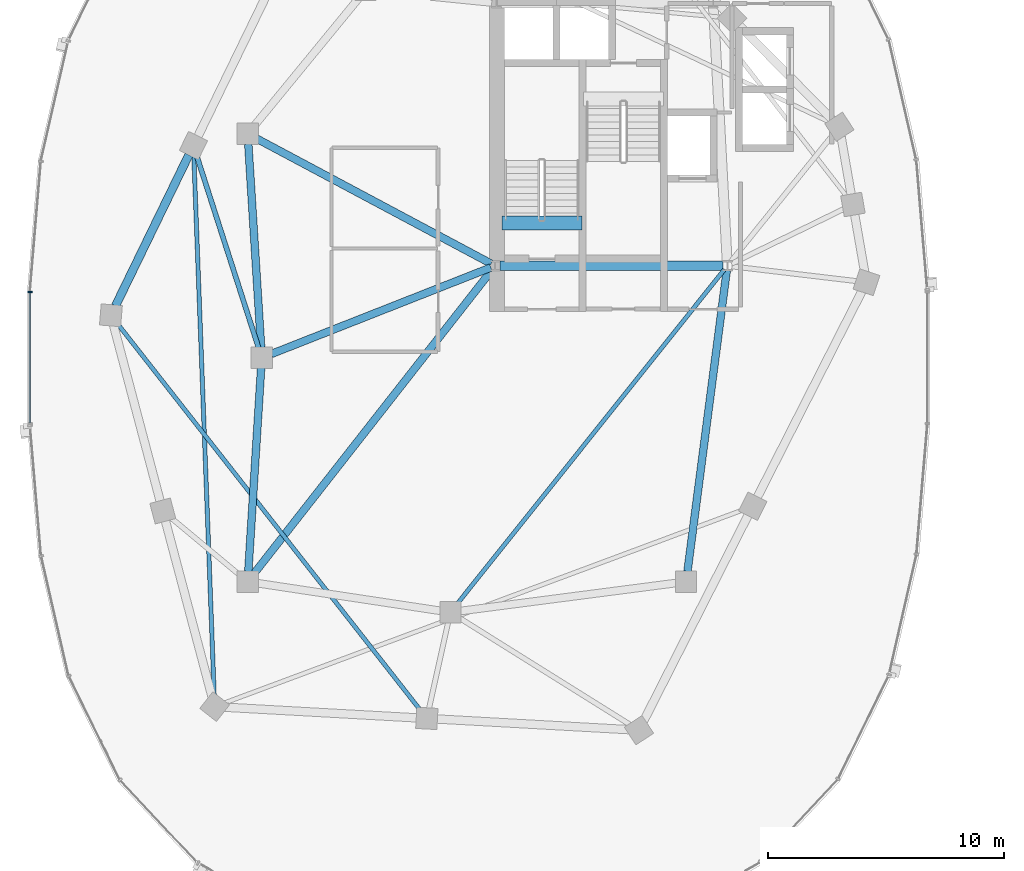
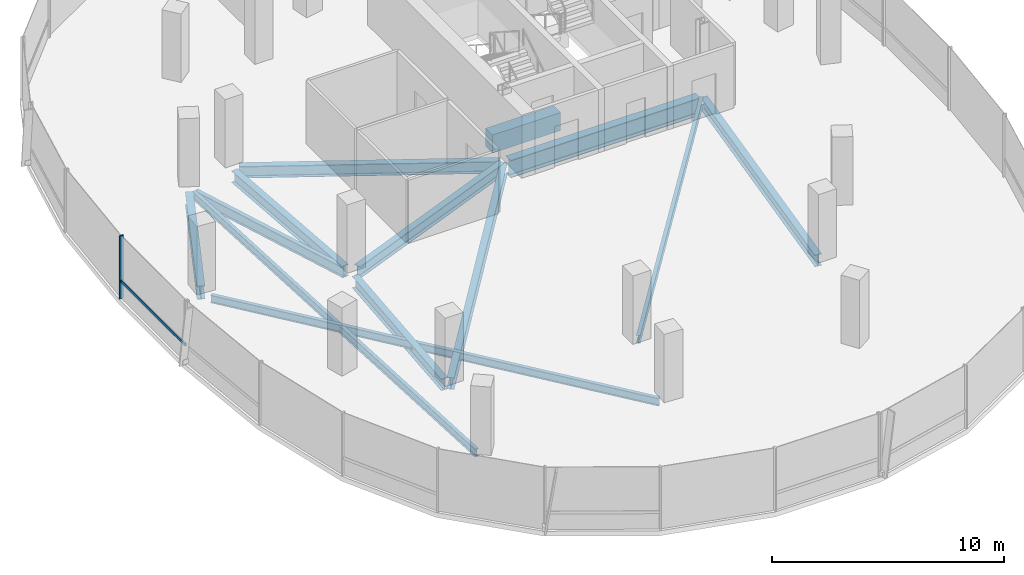
# One storey, part 4 of 24: 13 beams, 2 members, 1 element without a shape of its own.
"""IFC4 building model written with IfcOpenShell, lengths in metres."""

from ifc_helpers import new_model, si_unit, direction, frame, origin, origin_2d, place, context, subcontext, project, spatial, rectangle, i_section, extrude, material, material_profile, profile_set, type_object, element, aggregate, save


model = new_model("IFC4")

# Units and contexts
model_context = context("Model", 3, precision=1e-05, world=origin(), true_north=direction((0.0, 1.0)))
body_context = subcontext(model_context, "Body", "Model", "MODEL_VIEW")
ifc_project = project(units=[si_unit("LENGTHUNIT", "METRE"), si_unit("AREAUNIT", "SQUARE_METRE"), si_unit("VOLUMEUNIT", "CUBIC_METRE"), si_unit("PLANEANGLEUNIT", "RADIAN"), si_unit("MASSUNIT", "GRAM", prefix="KILO"), si_unit("THERMODYNAMICTEMPERATUREUNIT", "KELVIN"), si_unit("POWERUNIT", "WATT")], contexts=[model_context])

# Site, building, storey
site_placement = place(None, origin())
site = spatial("IfcSite", under=ifc_project, at=site_placement, CompositionType="ELEMENT")
building_placement = place(site_placement, origin())
building = spatial("IfcBuilding", under=site, at=building_placement, Name="Cundina Bronze Exchange", CompositionType="ELEMENT")
storey_placement = place(building_placement, frame((0.0, 0.0, 231.39990234375)))
storey = spatial("IfcBuildingStorey", under=building, at=storey_placement, Name="L61", CompositionType="ELEMENT", Elevation=231.39990234375)

# Beams
ifc_material_1 = material(Name="Concrete C60/75", Category="concrete")
ifc_material_profile_1 = material_profile(ifc_material_1, rectangle(XDim=0.60009765625, YDim=0.949951171875, at=origin_2d()), Name="RC600X950", Category="concrete")
ifc_profile_set_1 = profile_set([ifc_material_profile_1], Name="Concrete C60/75")
beam_type_1 = type_object("IfcBeamType", Name="BM-COUP-RC950", PredefinedType="LINTEL", material=ifc_profile_set_1)
beam_1_placement = place(storey_placement, frame((-31.02001953125, 5.719970703125, -0.474853515625), z_axis=(1.0, 0.0, 0.0), x_axis=(0.0, 1.0, 0.0)))
element("IfcBeam", 1, at=beam_1_placement, inside=storey, type_object=beam_type_1, Name="L61 Stair W1 Landing Header Beam", PredefinedType="LINTEL", context=body_context, shape_type="SweptSolid", body=[
    extrude(rectangle(XDim=0.60009765625, YDim=0.949951171875, at=origin_2d()), origin(), (0.0, 0.0, 1.0), 3.39990234375),
])
ifc_material_2 = material(Name="Steel ASTM A992 Grade 50", Category="steel")
ifc_material_profile_2 = material_profile(ifc_material_2, i_section(OverallWidth=0.2119140625, OverallDepth=0.5439453125, WebThickness=0.01318359375, FlangeThickness=0.021240234375, FilletRadius=0.013916015625, at=origin_2d()), Name="W21X83", Category="steel")
ifc_profile_set_2 = profile_set([ifc_material_profile_2], Name="Steel ASTM A992 Grade 50")
beam_type_2 = type_object("IfcBeamType", Name="BM-FLR-W21A", PredefinedType="BEAM", material=ifc_profile_set_2)
beam_2_placement = place(storey_placement, frame((-41.334228515625, 0.4169921875, -0.531982421875), z_axis=(-0.306727566953, 0.951797352208, 0.0), x_axis=(-0.951797352208, -0.306727566953, 0.0)))
element("IfcBeam", 2, at=beam_2_placement, inside=storey, type_object=beam_type_2, Name="L61 Leg W Radial Floor Beam 07", PredefinedType="BEAM", context=body_context, shape_type="SweptSolid", body=[
    extrude(i_section(OverallWidth=0.2119140625, OverallDepth=0.5439453125, WebThickness=0.01318359375, FlangeThickness=0.021240234375, FilletRadius=0.013916015625, at=origin_2d()), origin(), (0.0, 0.0, 1.0), 8.57958984375),
])
ifc_material_profile_3 = material_profile(ifc_material_2, i_section(OverallWidth=0.178955078125, OverallDepth=0.409912109375, WebThickness=0.0087890625, FlangeThickness=0.014404296875, FilletRadius=0.010986328125, at=origin_2d()), Name="W16X45", Category="steel")
ifc_profile_set_3 = profile_set([ifc_material_profile_3], Name="Steel ASTM A992 Grade 50")
beam_type_3 = type_object("IfcBeamType", Name="BM-JST-W16", PredefinedType="JOIST", material=ifc_profile_set_3)
beam_3_placement = place(storey_placement, frame((-21.572509765625, 3.746826171875, -0.46484375), z_axis=(-0.624364266872, -0.781133319129, 0.0), x_axis=(0.781133319129, -0.624364266872, 0.0)))
element("IfcBeam", 3, at=beam_3_placement, inside=storey, type_object=beam_type_3, Name="L61 W Interior Core-to-Ring Joist 2", PredefinedType="JOIST", context=body_context, shape_type="SweptSolid", body=[
    extrude(i_section(OverallWidth=0.178955078125, OverallDepth=0.409912109375, WebThickness=0.0087890625, FlangeThickness=0.014404296875, FilletRadius=0.010986328125, at=origin_2d()), origin(), (0.0, 0.0, 1.0), 18.184814453125),
])
beam_4_placement = place(storey_placement, frame((-44.08349609375, 8.562255859375, -0.46484375), z_axis=(0.037790216102, -0.999285694667, 0.0), x_axis=(0.999285694667, 0.037790216102, 0.0)))
element("IfcBeam", 4, at=beam_4_placement, inside=storey, type_object=beam_type_3, Name="L61 Leg W Lobe Floor Joist 07-10", PredefinedType="JOIST", context=body_context, shape_type="SweptSolid", body=[
    extrude(i_section(OverallWidth=0.178955078125, OverallDepth=0.409912109375, WebThickness=0.0087890625, FlangeThickness=0.014404296875, FilletRadius=0.010986328125, at=origin_2d()), origin(), (0.0, 0.0, 1.0), 22.94091796875),
])
beam_5_placement = place(storey_placement, frame((-47.329833984375, 1.455078125, -0.46484375), z_axis=(0.616810493522, -0.787111691618, 0.0), x_axis=(0.787111691618, 0.616810493522, 0.0)))
element("IfcBeam", 5, at=beam_5_placement, inside=storey, type_object=beam_type_3, Name="L61 Leg W Lobe Floor Joist 08-11", PredefinedType="JOIST", context=body_context, shape_type="SweptSolid", body=[
    extrude(i_section(OverallWidth=0.178955078125, OverallDepth=0.409912109375, WebThickness=0.0087890625, FlangeThickness=0.014404296875, FilletRadius=0.010986328125, at=origin_2d()), origin(), (0.0, 0.0, 1.0), 20.8486328125),
])
ifc_material_profile_4 = material_profile(ifc_material_2, i_section(OverallWidth=0.324951171875, OverallDepth=0.615966796875, WebThickness=0.013916015625, FlangeThickness=0.021484375, FilletRadius=0.01611328125, at=origin_2d()), Name="W24X117", Category="steel")
ifc_profile_set_4 = profile_set([ifc_material_profile_4], Name="Steel ASTM A992 Grade 50")
beam_type_4 = type_object("IfcBeamType", Name="BM-RING-W24", PredefinedType="USERDEFINED", material=ifc_profile_set_4)
for number, where, z_axis, x_axis, name in (
    (6, (-41.7724609375, 9.06298828125, -0.56787109375), (0.063046519736, -0.998010589297, 0.0), (0.998010589297, 0.063046519736, 0.0), "L61 W Inner Structural Ring Girder 03"),
    (7, (-41.2275390625, -0.43701171875, -0.56787109375), (-0.063046519736, -0.998010589297, 0.0), (0.998010589297, -0.063046519736, 0.0), "L61 W Inner Structural Ring Girder 04"),
):
    element("IfcBeam", number, at=place(storey_placement, frame(where, z_axis=z_axis, x_axis=x_axis)), inside=storey, type_object=beam_type_4, Name=name, ObjectType="GIRDER", PredefinedType="USERDEFINED", context=body_context, shape_type="SweptSolid", body=[
        extrude(i_section(OverallWidth=0.324951171875, OverallDepth=0.615966796875, WebThickness=0.013916015625, FlangeThickness=0.021484375, FilletRadius=0.01611328125, at=origin_2d()), origin(), (0.0, 0.0, 1.0), 8.64306640625),
    ])
beam_6_placement = place(storey_placement, frame((-23.143310546875, -9.065673828125, -0.56787109375), z_axis=(0.129501251979, 0.991579258424, 0.0), x_axis=(-0.991579258424, 0.129501251979, 0.0)))
element("IfcBeam", 8, at=beam_6_placement, inside=storey, type_object=beam_type_4, Name="L61 W Inner Structural Ring Girder 07", ObjectType="GIRDER", PredefinedType="USERDEFINED", context=body_context, shape_type="SweptSolid", body=[
    extrude(i_section(OverallWidth=0.324951171875, OverallDepth=0.615966796875, WebThickness=0.013916015625, FlangeThickness=0.021484375, FilletRadius=0.01611328125, at=origin_2d()), origin(), (0.0, 0.0, 1.0), 12.8798828125),
])
beam_7_placement = place(storey_placement, frame((-31.482421875, 3.828125, -0.56787109375), z_axis=(-0.930404106569, -0.366535398673, 0.0), x_axis=(0.366535398673, -0.930404106569, 0.0)))
element("IfcBeam", 9, at=beam_7_placement, inside=storey, type_object=beam_type_4, Name="L61 W Core-to-Waist Tie Beam 1", ObjectType="GIRDER", PredefinedType="USERDEFINED", context=body_context, shape_type="SweptSolid", body=[
    extrude(i_section(OverallWidth=0.324951171875, OverallDepth=0.615966796875, WebThickness=0.013916015625, FlangeThickness=0.021484375, FilletRadius=0.01611328125, at=origin_2d()), origin(), (0.0, 0.0, 1.0), 10.00634765625),
])
beam_8_placement = place(storey_placement, frame((-31.472900390625, 3.9921875, -0.56787109375), z_axis=(-0.882350541683, 0.470592734317, 0.0), x_axis=(-0.470592734317, -0.882350541683, 0.0)))
element("IfcBeam", 10, at=beam_8_placement, inside=storey, type_object=beam_type_4, Name="L61 W Core-to-Waist Tie Beam 2", ObjectType="GIRDER", PredefinedType="USERDEFINED", context=body_context, shape_type="SweptSolid", body=[
    extrude(i_section(OverallWidth=0.324951171875, OverallDepth=0.615966796875, WebThickness=0.013916015625, FlangeThickness=0.021484375, FilletRadius=0.01611328125, at=origin_2d()), origin(), (0.0, 0.0, 1.0), 11.26611328125),
])
beam_9_placement = place(storey_placement, frame((-31.4208984375, 3.74560546875, -0.56787109375), z_axis=(-0.616782900053, -0.787133314123, 0.0), x_axis=(0.787133314123, -0.616782900053, 0.0)))
element("IfcBeam", 11, at=beam_9_placement, inside=storey, type_object=beam_type_4, Name="L61 W Core-to-Waist Tie Beam 3", ObjectType="GIRDER", PredefinedType="USERDEFINED", context=body_context, shape_type="SweptSolid", body=[
    extrude(i_section(OverallWidth=0.324951171875, OverallDepth=0.615966796875, WebThickness=0.013916015625, FlangeThickness=0.021484375, FilletRadius=0.01611328125, at=origin_2d()), origin(), (0.0, 0.0, 1.0), 16.3896484375),
])
ifc_material_profile_5 = material_profile(ifc_material_2, i_section(OverallWidth=0.35498046875, OverallDepth=0.695068359375, WebThickness=0.015380859375, FlangeThickness=0.02490234375, FilletRadius=0.01806640625, at=origin_2d()), Name="W27X146", Category="steel")
ifc_profile_set_5 = profile_set([ifc_material_profile_5], Name="Steel ASTM A992 Grade 50")
beam_type_5 = type_object("IfcBeamType", Name="BM-RING-W27", PredefinedType="USERDEFINED", material=ifc_profile_set_5)
beam_10_placement = place(storey_placement, frame((-44.29150390625, 8.606201171875, -0.607421875), z_axis=(-0.437173087764, -0.89937739094, 0.0), x_axis=(0.89937739094, -0.437173087764, 0.0)))
element("IfcBeam", 12, at=beam_10_placement, inside=storey, type_object=beam_type_5, Name="L61 W Perimeter Ring Girder 07", ObjectType="GIRDER", PredefinedType="USERDEFINED", context=body_context, shape_type="SweptSolid", body=[
    extrude(i_section(OverallWidth=0.35498046875, OverallDepth=0.695068359375, WebThickness=0.015380859375, FlangeThickness=0.02490234375, FilletRadius=0.01806640625, at=origin_2d()), origin(), (0.0, 0.0, 1.0), 7.1298828125),
])
ifc_material_profile_6 = material_profile(ifc_material_2, i_section(OverallWidth=0.41796875, OverallDepth=0.927001953125, WebThickness=0.019287109375, FlangeThickness=0.031982421875, FilletRadius=0.02392578125, at=origin_2d()), Name="W36X231", Category="steel")
ifc_profile_set_6 = profile_set([ifc_material_profile_6], Name="Steel ASTM A992 Grade 50")
beam_type_6 = type_object("IfcBeamType", Name="BM-WRN-W36B", PredefinedType="USERDEFINED", material=ifc_profile_set_6)
beam_11_placement = place(storey_placement, frame((-31.10400390625, 3.89990234375, -0.723388671875), z_axis=(1.0, 0.0, 0.0), x_axis=(0.0, 1.0, 0.0)))
element("IfcBeam", 13, at=beam_11_placement, inside=storey, type_object=beam_type_6, Name="L61 W Core Perimeter Tie Girder 1", ObjectType="GIRDER", PredefinedType="USERDEFINED", context=body_context, shape_type="SweptSolid", body=[
    extrude(i_section(OverallWidth=0.41796875, OverallDepth=0.927001953125, WebThickness=0.019287109375, FlangeThickness=0.031982421875, FilletRadius=0.02392578125, at=origin_2d()), origin(), (0.0, 0.0, 1.0), 9.4580078125),
])

# Curtain wall, members
ifc_material_3 = material(Name="Anodised Bronze Aluminium 6063-T6", Category="aluminium")
curtain_wall_type = type_object("IfcCurtainWallType", Name="CWS-UPP-OFF", PredefinedType="NOTDEFINED", material=ifc_material_3)
curtain_wall_placement = place(storey_placement, origin())
curtain_wall = element("IfcCurtainWall", 14, at=curtain_wall_placement, inside=storey, type_object=curtain_wall_type, Name="L61 CW-05 Curtain Wall Run CWR-L61-W2", PredefinedType="NOTDEFINED")
ifc_material_profile_7 = material_profile(ifc_material_3, rectangle(XDim=0.070068359375, YDim=0.18994140625, at=origin_2d()), Name="AL70X190", Category="aluminium")
ifc_profile_set_7 = profile_set([ifc_material_profile_7], Name="Anodised Bronze Aluminium 6063-T6")
member_type_1 = type_object("IfcMemberType", Name="CWM-MUL-190", PredefinedType="MULLION", material=ifc_profile_set_7)
member_1_placement = place(storey_placement, frame((-51.033935546875, 2.794921875, 0.0), z_axis=(0.0, 0.0, 1.0), x_axis=(0.0, -1.0, 0.0)))
member_1 = element("IfcMember", 15, at=member_1_placement, type_object=member_type_1, Name="CW-05 Mullion 7", PredefinedType="MULLION", context=body_context, shape_type="SweptSolid", body=[
    extrude(rectangle(XDim=0.070068359375, YDim=0.18994140625, at=origin_2d()), origin(), (0.0, 0.0, 1.0), 3.320068359375),
])
ifc_material_profile_8 = material_profile(ifc_material_3, rectangle(XDim=0.06494140625, YDim=0.14990234375, at=origin_2d()), Name="AL65X150", Category="aluminium")
ifc_profile_set_8 = profile_set([ifc_material_profile_8], Name="Anodised Bronze Aluminium 6063-T6")
member_type_2 = type_object("IfcMemberType", Name="CWM-TRN-150", PredefinedType="USERDEFINED", material=ifc_profile_set_8)
member_2_placement = place(storey_placement, frame((-51.033935546875, 2.756591796875, 0.920166015625), z_axis=(0.0, -1.0, 0.0), x_axis=(1.0, 0.0, 0.0)))
member_2 = element("IfcMember", 16, at=member_2_placement, type_object=member_type_2, Name="CW-05 Spandrel Transom 7", ObjectType="TRANSOM", PredefinedType="USERDEFINED", context=body_context, shape_type="SweptSolid", body=[
    extrude(rectangle(XDim=0.06494140625, YDim=0.14990234375, at=origin_2d()), origin(), (0.0, 0.0, 1.0), 5.51318359375),
])
aggregate(curtain_wall, [member_1, member_2])

save(model, "model.ifc")
